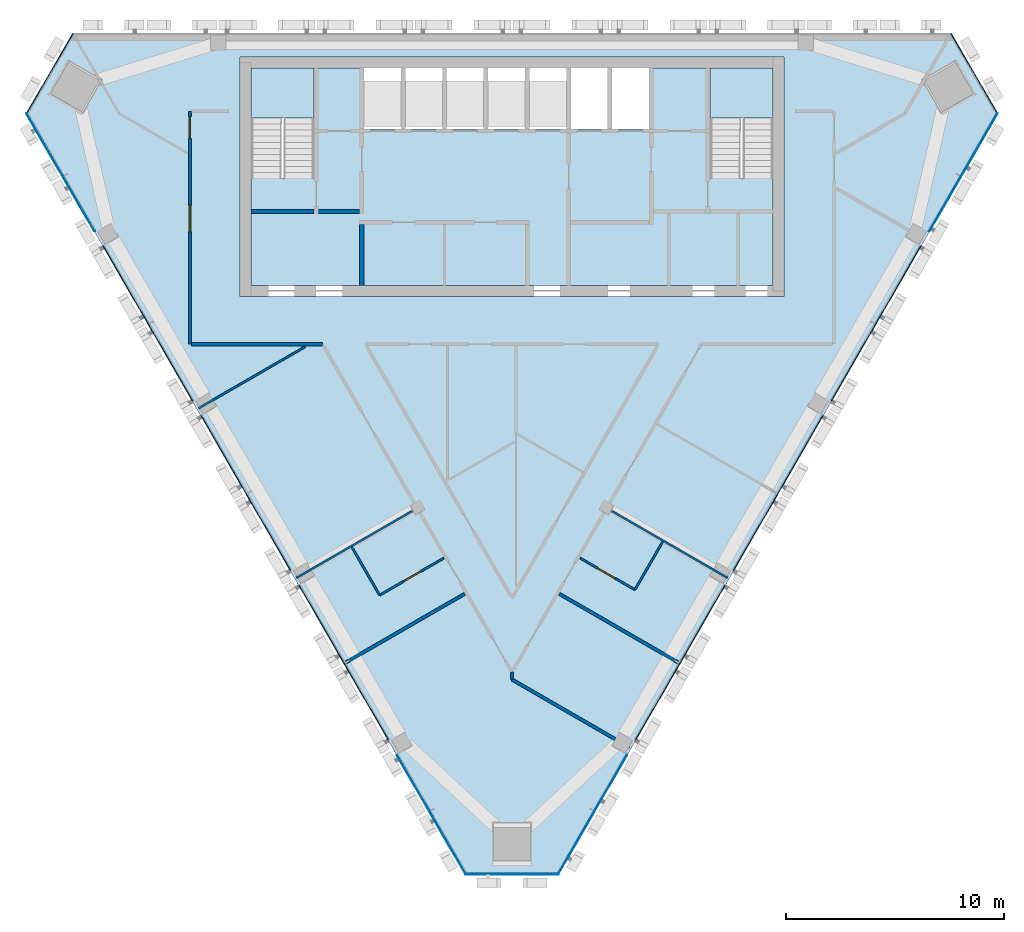
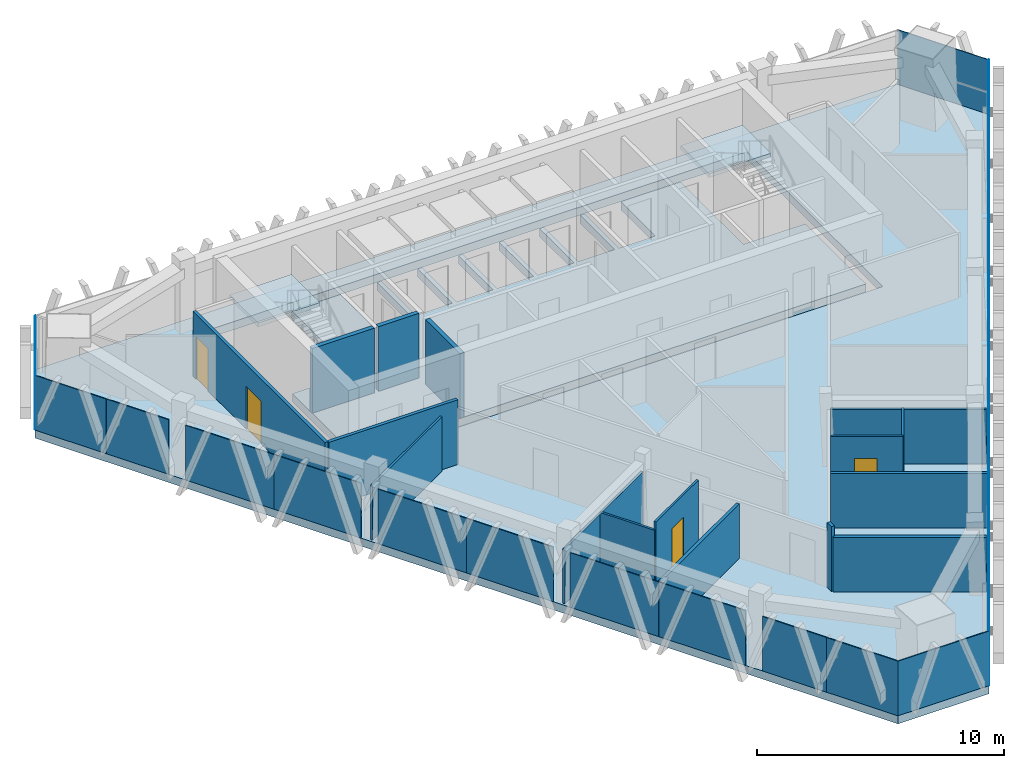
# One storey, part 7 of 14: 23 plates, 16 walls, 4 doors, 4 slabs, 4 openings, 7 elements without a shape of their own.
"""IFC4 building model written with IfcOpenShell, lengths in metres."""

from ifc_helpers import new_model, si_unit, direction, frame, frame_2d, origin, origin_2d, place, context, subcontext, project, spatial, polyline, rectangle, outline, extrude, material, layer, layer_set, type_object, element, fill, aggregate, save


model = new_model("IFC4")

# Units and contexts
model_context = context("Model", 3, precision=1e-05, world=origin(), true_north=direction((0.0, 1.0)))
body_context = subcontext(model_context, "Body", "Model", "MODEL_VIEW")
ifc_project = project(units=[si_unit("LENGTHUNIT", "METRE"), si_unit("AREAUNIT", "SQUARE_METRE"), si_unit("VOLUMEUNIT", "CUBIC_METRE"), si_unit("PLANEANGLEUNIT", "RADIAN"), si_unit("MASSUNIT", "GRAM", prefix="KILO")], contexts=[model_context])

# Site, building, storey
site_placement = place(None, origin())
site = spatial("IfcSite", under=ifc_project, at=site_placement, CompositionType="ELEMENT")
building_placement = place(site_placement, origin())
building = spatial("IfcBuilding", under=site, at=building_placement, Name="Altiplano Prism Tower", CompositionType="ELEMENT")
storey_placement = place(building_placement, frame((0.0, 0.0, 295.0)))
storey = spatial("IfcBuildingStorey", under=building, at=storey_placement, Name="L76", CompositionType="ELEMENT", Elevation=295.0)

# Curtain wall, plate
ifc_material_1 = material(Name="Aluminium and glass", Category="aluminium")
ifc_layer_1 = layer(ifc_material_1, 0.280029296875)
ifc_layer_set_1 = layer_set([ifc_layer_1], Name="Aluminium and glass")
curtain_wall_type = type_object("IfcCurtainWallType", Name="CW1 typical co-living unitised curtain wall", PredefinedType="NOTDEFINED", material=ifc_layer_set_1)
curtain_wall_1_placement = place(storey_placement, origin())
curtain_wall_1 = element("IfcCurtainWall", 1, at=curtain_wall_1_placement, inside=storey, type_object=curtain_wall_type, Name="CW1 curtain wall north-west chamfer L76", PredefinedType="NOTDEFINED")
ifc_material_2 = material(Name="Clear glass", Category="glass")
ifc_layer_2 = layer(ifc_material_2, 0.0400390625)
ifc_layer_set_2 = layer_set([ifc_layer_2], Name="Clear glass")
plate_type = type_object("IfcPlateType", Name="CW1 insulated glass unit 40", PredefinedType="CURTAIN_PANEL", material=ifc_layer_set_2)
plate_1_placement = place(storey_placement, frame((63.75634765625, 103.14111328125, 0.0), z_axis=(0.0, 0.0, 1.0), x_axis=(-0.500000067972, -0.866025364541, 0.0)))
plate_1 = element("IfcPlate", 2, at=plate_1_placement, type_object=plate_type, Name="CW1 panel", PredefinedType="CURTAIN_PANEL", context=body_context, shape_type="SweptSolid", body=[
    extrude(rectangle(XDim=4.260009765625, YDim=0.0400390625, at=origin_2d()), origin(), (0.0, 0.0, 1.0), 2.699951171875),
])
aggregate(curtain_wall_1, [plate_1])

# Curtain wall, plates
curtain_wall_2_placement = place(storey_placement, origin())
curtain_wall_2 = element("IfcCurtainWall", 3, at=curtain_wall_2_placement, inside=storey, type_object=curtain_wall_type, Name="CW1 curtain wall south-west face L76", PredefinedType="NOTDEFINED")
plate_2_placement = place(storey_placement, frame((63.525390625, 99.86279296875, 0.0), z_axis=(0.0, 0.0, 1.0), x_axis=(0.499999990629, -0.866025409195, 0.0)))
plate_2 = element("IfcPlate", 4, at=plate_2_placement, type_object=plate_type, Name="CW1 panel", PredefinedType="CURTAIN_PANEL", context=body_context, shape_type="SweptSolid", body=[
    extrude(rectangle(XDim=3.336669921875, YDim=0.0400390625, at=origin_2d()), origin(), (0.0, 0.0, 1.0), 2.699951171875),
])
plate_3_placement = place(storey_placement, frame((65.091552734375, 97.150634765625, 0.0), z_axis=(0.0, 0.0, 1.0), x_axis=(0.499999990629, -0.866025409195, 0.0)))
plate_3 = element("IfcPlate", 5, at=plate_3_placement, type_object=plate_type, Name="CW1 panel", PredefinedType="CURTAIN_PANEL", context=body_context, shape_type="SweptSolid", body=[
    extrude(rectangle(XDim=2.9072265625, YDim=0.0400390625, at=origin_2d()), origin(), (0.0, 0.0, 1.0), 2.699951171875),
])
plate_4_placement = place(storey_placement, frame((67.248291015625, 93.4150390625, 0.0), z_axis=(0.0, 0.0, 1.0), x_axis=(0.499999990629, -0.866025409195, 0.0)))
plate_4 = element("IfcPlate", 6, at=plate_4_placement, type_object=plate_type, Name="CW1 panel", PredefinedType="CURTAIN_PANEL", context=body_context, shape_type="SweptSolid", body=[
    extrude(rectangle(XDim=4.139404296875, YDim=0.0400390625, at=origin_2d()), origin(), (0.0, 0.0, 1.0), 2.699951171875),
])
plate_5_placement = place(storey_placement, frame((69.30322265625, 89.855712890625, 0.0), z_axis=(0.0, 0.0, 1.0), x_axis=(0.499999990629, -0.866025409195, 0.0)))
plate_5 = element("IfcPlate", 7, at=plate_5_placement, type_object=plate_type, Name="CW1 panel", PredefinedType="CURTAIN_PANEL", context=body_context, shape_type="SweptSolid", body=[
    extrude(rectangle(XDim=4.060302734375, YDim=0.0400390625, at=origin_2d()), origin(), (0.0, 0.0, 1.0), 2.699951171875),
])
plate_6_placement = place(storey_placement, frame((71.748291015625, 85.620849609375, 0.0), z_axis=(0.0, 0.0, 1.0), x_axis=(0.499999990629, -0.866025409195, 0.0)))
plate_6 = element("IfcPlate", 8, at=plate_6_placement, type_object=plate_type, Name="CW1 panel", PredefinedType="CURTAIN_PANEL", context=body_context, shape_type="SweptSolid", body=[
    extrude(rectangle(XDim=4.139404296875, YDim=0.0400390625, at=origin_2d()), origin(), (0.0, 0.0, 1.0), 2.699951171875),
])
plate_7_placement = place(storey_placement, frame((73.80322265625, 82.0615234375, 0.0), z_axis=(0.0, 0.0, 1.0), x_axis=(0.499999990629, -0.866025409195, 0.0)))
plate_7 = element("IfcPlate", 9, at=plate_7_placement, type_object=plate_type, Name="CW1 panel", PredefinedType="CURTAIN_PANEL", context=body_context, shape_type="SweptSolid", body=[
    extrude(rectangle(XDim=4.060302734375, YDim=0.0400390625, at=origin_2d()), origin(), (0.0, 0.0, 1.0), 2.699951171875),
])
plate_8_placement = place(storey_placement, frame((76.248291015625, 77.826416015625, 0.0), z_axis=(0.0, 0.0, 1.0), x_axis=(0.499999990629, -0.866025409195, 0.0)))
plate_8 = element("IfcPlate", 10, at=plate_8_placement, type_object=plate_type, Name="CW1 panel", PredefinedType="CURTAIN_PANEL", context=body_context, shape_type="SweptSolid", body=[
    extrude(rectangle(XDim=4.139404296875, YDim=0.0400390625, at=origin_2d()), origin(), (0.0, 0.0, 1.0), 2.699951171875),
])
plate_9_placement = place(storey_placement, frame((78.30322265625, 74.267333984375, 0.0), z_axis=(0.0, 0.0, 1.0), x_axis=(0.499999990629, -0.866025409195, 0.0)))
plate_9 = element("IfcPlate", 11, at=plate_9_placement, type_object=plate_type, Name="CW1 panel", PredefinedType="CURTAIN_PANEL", context=body_context, shape_type="SweptSolid", body=[
    extrude(rectangle(XDim=4.060302734375, YDim=0.0400390625, at=origin_2d()), origin(), (0.0, 0.0, 1.0), 2.699951171875),
])
plate_10_placement = place(storey_placement, frame((80.4599609375, 70.53173828125, 0.0), z_axis=(0.0, 0.0, 1.0), x_axis=(0.499999990629, -0.866025409195, 0.0)))
plate_10 = element("IfcPlate", 12, at=plate_10_placement, type_object=plate_type, Name="CW1 panel", PredefinedType="CURTAIN_PANEL", context=body_context, shape_type="SweptSolid", body=[
    extrude(rectangle(XDim=2.986328125, YDim=0.0400390625, at=origin_2d()), origin(), (0.0, 0.0, 1.0), 2.699951171875),
])
plate_11_placement = place(storey_placement, frame((82.045654296875, 67.78515625, 0.0), z_axis=(0.0, 0.0, 1.0), x_axis=(0.499999990629, -0.866025409195, 0.0)))
plate_11 = element("IfcPlate", 13, at=plate_11_placement, type_object=plate_type, Name="CW1 panel", PredefinedType="CURTAIN_PANEL", context=body_context, shape_type="SweptSolid", body=[
    extrude(rectangle(XDim=3.336669921875, YDim=0.0400390625, at=origin_2d()), origin(), (0.0, 0.0, 1.0), 2.699951171875),
])
aggregate(curtain_wall_2, [plate_2, plate_3, plate_4, plate_5, plate_6, plate_7, plate_8, plate_9, plate_10, plate_11])

# Curtain wall, plate
curtain_wall_3_placement = place(storey_placement, origin())
curtain_wall_3 = element("IfcCurtainWall", 14, at=curtain_wall_3_placement, inside=storey, type_object=curtain_wall_type, Name="CW1 curtain wall south chamfer L76", PredefinedType="NOTDEFINED")
plate_12_placement = place(storey_placement, frame((85.0, 66.345947265625, 0.0), z_axis=(0.0, 0.0, 1.0), x_axis=(1.0, 0.0, 0.0)))
plate_12 = element("IfcPlate", 15, at=plate_12_placement, type_object=plate_type, Name="CW1 panel", PredefinedType="CURTAIN_PANEL", context=body_context, shape_type="SweptSolid", body=[
    extrude(rectangle(XDim=4.260009765625, YDim=0.0400390625, at=origin_2d()), origin(), (0.0, 0.0, 1.0), 2.699951171875),
])
aggregate(curtain_wall_3, [plate_12])

# Curtain wall, plates
curtain_wall_4_placement = place(storey_placement, origin())
curtain_wall_4 = element("IfcCurtainWall", 16, at=curtain_wall_4_placement, inside=storey, type_object=curtain_wall_type, Name="CW1 curtain wall south-east face L76", PredefinedType="NOTDEFINED")
plate_13_placement = place(storey_placement, frame((87.954345703125, 67.78515625, 0.0), z_axis=(0.0, 0.0, 1.0), x_axis=(0.499999990629, 0.866025409195, 0.0)))
plate_13 = element("IfcPlate", 17, at=plate_13_placement, type_object=plate_type, Name="CW1 panel", PredefinedType="CURTAIN_PANEL", context=body_context, shape_type="SweptSolid", body=[
    extrude(rectangle(XDim=3.336669921875, YDim=0.0400390625, at=origin_2d()), origin(), (0.0, 0.0, 1.0), 2.699951171875),
])
plate_14_placement = place(storey_placement, frame((89.5400390625, 70.53173828125, 0.0), z_axis=(0.0, 0.0, 1.0), x_axis=(0.499999990629, 0.866025409195, 0.0)))
plate_14 = element("IfcPlate", 18, at=plate_14_placement, type_object=plate_type, Name="CW1 panel", PredefinedType="CURTAIN_PANEL", context=body_context, shape_type="SweptSolid", body=[
    extrude(rectangle(XDim=2.986328125, YDim=0.0400390625, at=origin_2d()), origin(), (0.0, 0.0, 1.0), 2.699951171875),
])
plate_15_placement = place(storey_placement, frame((91.69677734375, 74.267333984375, 0.0), z_axis=(0.0, 0.0, 1.0), x_axis=(0.499999990629, 0.866025409195, 0.0)))
plate_15 = element("IfcPlate", 19, at=plate_15_placement, type_object=plate_type, Name="CW1 panel", PredefinedType="CURTAIN_PANEL", context=body_context, shape_type="SweptSolid", body=[
    extrude(rectangle(XDim=4.060302734375, YDim=0.0400390625, at=origin_2d()), origin(), (0.0, 0.0, 1.0), 2.699951171875),
])
plate_16_placement = place(storey_placement, frame((93.751708984375, 77.826416015625, 0.0), z_axis=(0.0, 0.0, 1.0), x_axis=(0.499999990629, 0.866025409195, 0.0)))
plate_16 = element("IfcPlate", 20, at=plate_16_placement, type_object=plate_type, Name="CW1 panel", PredefinedType="CURTAIN_PANEL", context=body_context, shape_type="SweptSolid", body=[
    extrude(rectangle(XDim=4.139404296875, YDim=0.0400390625, at=origin_2d()), origin(), (0.0, 0.0, 1.0), 2.699951171875),
])
plate_17_placement = place(storey_placement, frame((96.19677734375, 82.0615234375, 0.0), z_axis=(0.0, 0.0, 1.0), x_axis=(0.499999990629, 0.866025409195, 0.0)))
plate_17 = element("IfcPlate", 21, at=plate_17_placement, type_object=plate_type, Name="CW1 panel", PredefinedType="CURTAIN_PANEL", context=body_context, shape_type="SweptSolid", body=[
    extrude(rectangle(XDim=4.060302734375, YDim=0.0400390625, at=origin_2d()), origin(), (0.0, 0.0, 1.0), 2.699951171875),
])
plate_18_placement = place(storey_placement, frame((98.251708984375, 85.620849609375, 0.0), z_axis=(0.0, 0.0, 1.0), x_axis=(0.499999990629, 0.866025409195, 0.0)))
plate_18 = element("IfcPlate", 22, at=plate_18_placement, type_object=plate_type, Name="CW1 panel", PredefinedType="CURTAIN_PANEL", context=body_context, shape_type="SweptSolid", body=[
    extrude(rectangle(XDim=4.139404296875, YDim=0.0400390625, at=origin_2d()), origin(), (0.0, 0.0, 1.0), 2.699951171875),
])
plate_19_placement = place(storey_placement, frame((100.69677734375, 89.855712890625, 0.0), z_axis=(0.0, 0.0, 1.0), x_axis=(0.499999990629, 0.866025409195, 0.0)))
plate_19 = element("IfcPlate", 23, at=plate_19_placement, type_object=plate_type, Name="CW1 panel", PredefinedType="CURTAIN_PANEL", context=body_context, shape_type="SweptSolid", body=[
    extrude(rectangle(XDim=4.060302734375, YDim=0.0400390625, at=origin_2d()), origin(), (0.0, 0.0, 1.0), 2.699951171875),
])
plate_20_placement = place(storey_placement, frame((102.751708984375, 93.4150390625, 0.0), z_axis=(0.0, 0.0, 1.0), x_axis=(0.499999990629, 0.866025409195, 0.0)))
plate_20 = element("IfcPlate", 24, at=plate_20_placement, type_object=plate_type, Name="CW1 panel", PredefinedType="CURTAIN_PANEL", context=body_context, shape_type="SweptSolid", body=[
    extrude(rectangle(XDim=4.139404296875, YDim=0.0400390625, at=origin_2d()), origin(), (0.0, 0.0, 1.0), 2.699951171875),
])
plate_21_placement = place(storey_placement, frame((104.908447265625, 97.150634765625, 0.0), z_axis=(0.0, 0.0, 1.0), x_axis=(0.499999990629, 0.866025409195, 0.0)))
plate_21 = element("IfcPlate", 25, at=plate_21_placement, type_object=plate_type, Name="CW1 panel", PredefinedType="CURTAIN_PANEL", context=body_context, shape_type="SweptSolid", body=[
    extrude(rectangle(XDim=2.9072265625, YDim=0.0400390625, at=origin_2d()), origin(), (0.0, 0.0, 1.0), 2.699951171875),
])
plate_22_placement = place(storey_placement, frame((106.474609375, 99.86279296875, 0.0), z_axis=(0.0, 0.0, 1.0), x_axis=(0.499999990629, 0.866025409195, 0.0)))
plate_22 = element("IfcPlate", 26, at=plate_22_placement, type_object=plate_type, Name="CW1 panel", PredefinedType="CURTAIN_PANEL", context=body_context, shape_type="SweptSolid", body=[
    extrude(rectangle(XDim=3.336669921875, YDim=0.0400390625, at=origin_2d()), origin(), (0.0, 0.0, 1.0), 2.699951171875),
])
aggregate(curtain_wall_4, [plate_13, plate_14, plate_15, plate_16, plate_17, plate_18, plate_19, plate_20, plate_21, plate_22])

# Curtain wall, plate
curtain_wall_5_placement = place(storey_placement, origin())
curtain_wall_5 = element("IfcCurtainWall", 27, at=curtain_wall_5_placement, inside=storey, type_object=curtain_wall_type, Name="CW1 curtain wall north-east chamfer L76", PredefinedType="NOTDEFINED")
plate_23_placement = place(storey_placement, frame((106.24365234375, 103.14111328125, 0.0), z_axis=(0.0, 0.0, 1.0), x_axis=(-0.500000067972, 0.866025364541, 0.0)))
plate_23 = element("IfcPlate", 28, at=plate_23_placement, type_object=plate_type, Name="CW1 panel", PredefinedType="CURTAIN_PANEL", context=body_context, shape_type="SweptSolid", body=[
    extrude(rectangle(XDim=4.260009765625, YDim=0.0400390625, at=origin_2d()), origin(), (0.0, 0.0, 1.0), 2.699951171875),
])
aggregate(curtain_wall_5, [plate_23])

# Slabs
ifc_material_3 = material(Name="Concrete C40/50", Category="concrete")
ifc_layer_3 = layer(ifc_material_3, 0.39990234375)
ifc_layer_set_3 = layer_set([ifc_layer_3], Name="Concrete C40/50")
slab_type_1 = type_object("IfcSlabType", Name="Core floor slab 400", PredefinedType="FLOOR", material=ifc_layer_set_3)
slab_1_placement = place(storey_placement, frame((0.0, 0.0, -0.39990234375)))
element("IfcSlab", 29, at=slab_1_placement, inside=storey, type_object=slab_type_1, Name="Core floor slab L76", PredefinedType="FLOOR", context=body_context, shape_type="SweptSolid", body=[
    extrude(outline(polyline([(97.0, 98.31005859375), (94.10009765625, 98.31005859375), (94.10009765625, 103.39990234375), (91.300048828125, 103.39990234375), (91.300048828125, 100.60009765625), (89.60009765625, 100.60009765625), (89.60009765625, 103.39990234375), (89.39990234375, 103.39990234375), (89.39990234375, 100.60009765625), (87.699951171875, 100.60009765625), (87.699951171875, 103.39990234375), (87.5, 103.39990234375), (87.5, 100.60009765625), (85.800048828125, 100.60009765625), (85.800048828125, 103.39990234375), (85.60009765625, 103.39990234375), (85.60009765625, 100.60009765625), (83.89990234375, 100.60009765625), (83.89990234375, 103.39990234375), (83.699951171875, 103.39990234375), (83.699951171875, 100.60009765625), (82.0, 100.60009765625), (82.0, 103.39990234375), (81.800048828125, 103.39990234375), (81.800048828125, 100.60009765625), (80.10009765625, 100.60009765625), (80.10009765625, 103.39990234375), (79.89990234375, 103.39990234375), (79.89990234375, 100.60009765625), (78.199951171875, 100.60009765625), (78.199951171875, 103.39990234375), (75.89990234375, 103.39990234375), (75.89990234375, 98.31005859375), (73.0, 98.31005859375), (73.0, 93.39990234375), (97.0, 93.39990234375), (97.0, 98.31005859375)])), origin(), (0.0, 0.0, 1.0), 0.39990234375),
])
ifc_layer_4 = layer(ifc_material_3, 0.39990234375)
ifc_layer_set_4 = layer_set([ifc_layer_4], Name="Concrete C40/50")
slab_type_2 = type_object("IfcSlabType", Name="Post-tensioned flat slab 400", PredefinedType="FLOOR", material=ifc_layer_set_4)
slab_2_placement = place(storey_placement, frame((0.0, 0.0, -0.39990234375)))
element("IfcSlab", 30, at=slab_2_placement, inside=storey, type_object=slab_type_2, Name="Floor slab L76", PredefinedType="FLOOR", context=body_context, shape_type="SweptSolid", body=[
    extrude(outline(polyline([(107.32861328125, 101.302001953125), (87.135009765625, 66.325927734375), (82.864990234375, 66.325927734375), (62.67138671875, 101.302001953125), (64.806396484375, 105.0), (105.193603515625, 105.0), (107.32861328125, 101.302001953125)]), holes=[polyline([(97.5, 92.89990234375), (97.5, 103.89990234375), (72.5, 103.89990234375), (72.5, 92.89990234375), (97.5, 92.89990234375)])]), origin(), (0.0, 0.0, 1.0), 0.39990234375),
])

# Stair, slab
stair_type = type_object("IfcStairType", Name="Exit stair 1400", PredefinedType="HALF_TURN_STAIR", material=ifc_material_3)
stair_1_placement = place(storey_placement, origin())
stair_1 = element("IfcStair", 31, at=stair_1_placement, inside=storey, type_object=stair_type, Name="L76 Exit Stair 1", PredefinedType="HALF_TURN_STAIR")
ifc_layer_5 = layer(ifc_material_3, 0.199951171875)
ifc_layer_set_5 = layer_set([ifc_layer_5], Name="Concrete C40/50")
slab_type_3 = type_object("IfcSlabType", Name="Stair landing 200", PredefinedType="LANDING", material=ifc_layer_set_5)
slab_3_placement = place(storey_placement, frame((0.0, 0.0, 1.60009765625)))
slab_3 = element("IfcSlab", 32, at=slab_3_placement, type_object=slab_type_3, Name="ST1 landing 1", PredefinedType="LANDING", context=body_context, shape_type="SweptSolid", body=[
    extrude(outline(polyline([(75.89990234375, 101.096923828125), (75.89990234375, 103.39990234375), (73.0, 103.39990234375), (73.0, 101.096923828125), (75.89990234375, 101.096923828125)])), origin(), (0.0, 0.0, 1.0), 0.199951171875),
])
aggregate(stair_1, [slab_3])

stair_2_placement = place(storey_placement, origin())
stair_2 = element("IfcStair", 33, at=stair_2_placement, inside=storey, type_object=stair_type, Name="L76 Exit Stair 2", PredefinedType="HALF_TURN_STAIR")
slab_4_placement = place(storey_placement, frame((0.0, 0.0, 1.60009765625)))
slab_4 = element("IfcSlab", 34, at=slab_4_placement, type_object=slab_type_3, Name="ST2 landing 1", PredefinedType="LANDING", context=body_context, shape_type="SweptSolid", body=[
    extrude(outline(polyline([(97.0, 101.096923828125), (97.0, 103.39990234375), (94.10009765625, 103.39990234375), (94.10009765625, 101.096923828125), (97.0, 101.096923828125)])), origin(), (0.0, 0.0, 1.0), 0.199951171875),
])
aggregate(stair_2, [slab_4])

# Wall, opening, door
ifc_material_4 = material(Name="Plasterboard on steel stud", Category="steel")
ifc_layer_6 = layer(ifc_material_4, 0.10009765625)
ifc_layer_set_6 = layer_set([ifc_layer_6], Name="Plasterboard on steel stud")
wall_type_1 = type_object("IfcWallType", Name="Partition 100 unit", PredefinedType="PARTITIONING", material=ifc_layer_set_6)
wall_1_placement = place(storey_placement, frame((81.882568359375, 80.877685546875, 0.0), z_axis=(0.0, 0.0, 1.0), x_axis=(-0.866050272892, -0.499956922968, 0.0)))
wall_1 = element("IfcWall", 35, at=wall_1_placement, inside=storey, type_object=wall_type_1, Name="Partition P02 L76 021", PredefinedType="PARTITIONING", context=body_context, shape_type="SweptSolid", body=[
    extrude(rectangle(XDim=3.425048828125, YDim=0.10009765625, at=frame_2d((1.71240234375, 0.0))), origin(), (0.0, 0.0, 1.0), 3.199951171875),
])
opening_1_placement = place(wall_1_placement, frame((1.22509765625, 0.0, 0.0)))
opening_1 = element("IfcOpeningElement", 36, at=opening_1_placement, cuts=wall_1, Name="Opening D2331", PredefinedType="OPENING", context=body_context, shape_type="SweptSolid", body=[
    extrude(rectangle(XDim=0.89990234375, YDim=2.10009765625, at=frame_2d((0.449951171875, 1.050048828125))), frame((0.0, 0.060546875, 0.0), z_axis=(0.0, -1.0, 0.0), x_axis=(1.0, 0.0, 0.0)), (0.0, 0.0, 1.0), 0.12109375),
])
ifc_material_5 = material(Name="Timber", Category="wood")
door_type_1 = type_object("IfcDoorType", Name="Accessible ensuite door 900 x 2100", OperationType="NOTDEFINED", PredefinedType="NOTDEFINED", material=ifc_material_5)
door_1_placement = place(opening_1_placement, origin())
door_1 = element("IfcDoor", 37, at=door_1_placement, inside=storey, type_object=door_type_1, Name="Door D2331", OperationType="SINGLE_SWING_RIGHT", OverallHeight=2.10009765625, OverallWidth=0.89990234375, PredefinedType="NOTDEFINED", context=body_context, shape_type="SweptSolid", body=[
    extrude(rectangle(XDim=0.89990234375, YDim=2.10009765625, at=frame_2d((0.449951171875, 1.050048828125))), frame((0.0, 0.02490234375, 0.0), z_axis=(0.0, -1.0, 0.0), x_axis=(1.0, 0.0, 0.0)), (0.0, 0.0, 1.0), 0.050048828125),
])
fill(opening_1, door_1)

# Walls
wall_2_placement = place(storey_placement, frame((78.916259765625, 79.165283203125, 0.0), z_axis=(0.0, 0.0, 1.0), x_axis=(-0.499990435942, 0.866030925526, 0.0)))
element("IfcWall", 38, at=wall_2_placement, inside=storey, type_object=wall_type_1, Name="Partition P02 L76 022", PredefinedType="PARTITIONING", context=body_context, shape_type="SweptSolid", body=[
    extrude(rectangle(XDim=2.5498046875, YDim=0.10009765625, at=frame_2d((1.27490234375, 0.0))), origin(), (0.0, 0.0, 1.0), 2.800048828125),
])
wall_3_placement = place(storey_placement, frame((91.92578125, 81.62353515625, 0.0), z_axis=(0.0, 0.0, 1.0), x_axis=(-0.500062241894, -0.865989465428, 0.0)))
element("IfcWall", 39, at=wall_3_placement, inside=storey, type_object=wall_type_1, Name="Partition P02 L76 027", PredefinedType="PARTITIONING", context=body_context, shape_type="SweptSolid", body=[
    extrude(rectangle(XDim=2.550048828125, YDim=0.10009765625, at=frame_2d((1.27490234375, 0.0))), origin(), (0.0, 0.0, 1.0), 2.800048828125),
])

# Wall, opening, door
wall_4_placement = place(storey_placement, frame((90.650634765625, 79.415283203125, 0.0), z_axis=(0.0, 0.0, 1.0), x_axis=(-0.866046596414, 0.499963291492, 0.0)))
wall_4 = element("IfcWall", 40, at=wall_4_placement, inside=storey, type_object=wall_type_1, Name="Partition P02 L76 028", PredefinedType="PARTITIONING", context=body_context, shape_type="SweptSolid", body=[
    extrude(rectangle(XDim=2.925048828125, YDim=0.10009765625, at=frame_2d((1.46240234375, 0.0))), origin(), (0.0, 0.0, 1.0), 3.199951171875),
])
opening_2_placement = place(wall_4_placement, frame((1.050048828125, 0.0, 0.0)))
opening_2 = element("IfcOpeningElement", 41, at=opening_2_placement, cuts=wall_4, Name="Opening D2335", PredefinedType="OPENING", context=body_context, shape_type="SweptSolid", body=[
    extrude(rectangle(XDim=0.89990234375, YDim=2.10009765625, at=frame_2d((0.449951171875, 1.050048828125))), frame((0.0, 0.060546875, 0.0), z_axis=(0.0, -1.0, 0.0), x_axis=(1.0, 0.0, 0.0)), (0.0, 0.0, 1.0), 0.12109375),
])
door_type_2 = type_object("IfcDoorType", Name="Ensuite door 900 x 2100", OperationType="NOTDEFINED", PredefinedType="NOTDEFINED", material=ifc_material_5)
door_2_placement = place(opening_2_placement, origin())
door_2 = element("IfcDoor", 42, at=door_2_placement, inside=storey, type_object=door_type_2, Name="Door D2335", OperationType="SINGLE_SWING_RIGHT", OverallHeight=2.10009765625, OverallWidth=0.89990234375, PredefinedType="NOTDEFINED", context=body_context, shape_type="SweptSolid", body=[
    extrude(rectangle(XDim=0.89990234375, YDim=2.10009765625, at=frame_2d((0.449951171875, 1.050048828125))), frame((0.0, 0.02490234375, 0.0), z_axis=(0.0, -1.0, 0.0), x_axis=(1.0, 0.0, 0.0)), (0.0, 0.0, 1.0), 0.050048828125),
])
fill(opening_2, door_2)

# Walls
ifc_layer_7 = layer(ifc_material_4, 0.10009765625)
ifc_layer_set_7 = layer_set([ifc_layer_7], Name="Plasterboard on steel stud")
wall_type_2 = type_object("IfcWallType", Name="Partition 100 wet", PredefinedType="PARTITIONING", material=ifc_layer_set_7)
wall_5_placement = place(storey_placement, frame((70.604736328125, 87.760986328125, 0.0), z_axis=(0.0, 0.0, 1.0), x_axis=(0.866013339775, 0.500020894896, 0.0)))
element("IfcWall", 43, at=wall_5_placement, inside=storey, type_object=wall_type_2, Name="Partition P03 L76 017", PredefinedType="PARTITIONING", context=body_context, shape_type="SweptSolid", body=[
    extrude(rectangle(XDim=5.641357421875, YDim=0.10009765625, at=frame_2d((2.82080078125, 0.0))), origin(), (0.0, 0.0, 1.0), 2.699951171875),
])
for number, where, z_axis, x_axis, name in (
    (44, (75.104736328125, 79.966796875, 0.0), (0.0, 0.0, 1.0), (0.866025537322, 0.499999768706, 0.0), "Partition P03 L76 020"),
    (45, (94.895263671875, 79.966796875, 0.0), (0.0, 0.0, 1.0), (-0.866025537322, 0.499999768706, 0.0), "Partition P03 L76 029"),
):
    element("IfcWall", number, at=place(storey_placement, frame(where, z_axis=z_axis, x_axis=x_axis)), inside=storey, type_object=wall_type_2, Name=name, PredefinedType="PARTITIONING", context=body_context, shape_type="SweptSolid", body=[
        extrude(rectangle(XDim=6.3251953125, YDim=0.10009765625, at=frame_2d((3.16259765625, 0.0))), origin(), (0.0, 0.0, 1.0), 2.699951171875),
    ])

# Wall, openings, doors
ifc_layer_8 = layer(ifc_material_4, 0.14990234375)
ifc_layer_set_8 = layer_set([ifc_layer_8], Name="Plasterboard on steel stud")
wall_type_3 = type_object("IfcWallType", Name="Partition 150 corridor", PredefinedType="PARTITIONING", material=ifc_layer_set_8)
wall_6_placement = place(storey_placement, frame((70.19921875, 101.400634765625, 0.0), z_axis=(0.0, 0.0, 1.0), x_axis=(6.844627e-05, -0.999999997658, 0.0)))
wall_6 = element("IfcWall", 46, at=wall_6_placement, inside=storey, type_object=wall_type_3, Name="Partition P06 L76 003", PredefinedType="PARTITIONING", context=body_context, shape_type="SweptSolid", body=[
    extrude(rectangle(XDim=10.70068359375, YDim=0.14990234375, at=frame_2d((5.350341796875, 0.0))), origin(), (0.0, 0.0, 1.0), 3.199951171875),
])
opening_3_placement = place(wall_6_placement, frame((4.324951171875, 0.0, 0.0)))
opening_3 = element("IfcOpeningElement", 47, at=opening_3_placement, cuts=wall_6, Name="Opening D2328", PredefinedType="OPENING", context=body_context, shape_type="SweptSolid", body=[
    extrude(rectangle(XDim=1.199951171875, YDim=2.10009765625, at=frame_2d((0.60009765625, 1.050048828125))), frame((0.0, 0.08544921875, 0.0), z_axis=(0.0, -1.0, 0.0), x_axis=(1.0, 0.0, 0.0)), (0.0, 0.0, 1.0), 0.1708984375),
])
opening_4_placement = place(wall_6_placement, frame((0.239013671875, 0.0, 0.0)))
opening_4 = element("IfcOpeningElement", 48, at=opening_4_placement, cuts=wall_6, Name="Opening D2341", PredefinedType="OPENING", context=body_context, shape_type="SweptSolid", body=[
    extrude(rectangle(XDim=1.0, YDim=2.10009765625, at=frame_2d((0.5, 1.050048828125))), frame((0.0, 0.08544921875, 0.0), z_axis=(0.0, -1.0, 0.0), x_axis=(1.0, 0.0, 0.0)), (0.0, 0.0, 1.0), 0.1708984375),
])
door_type_3 = type_object("IfcDoorType", Name="Shared room door 1200 x 2100", OperationType="NOTDEFINED", PredefinedType="NOTDEFINED", material=ifc_material_5)
door_3_placement = place(opening_3_placement, origin())
door_3 = element("IfcDoor", 49, at=door_3_placement, inside=storey, type_object=door_type_3, Name="Door D2328", OperationType="SINGLE_SWING_LEFT", OverallHeight=2.10009765625, OverallWidth=1.199951171875, PredefinedType="NOTDEFINED", context=body_context, shape_type="SweptSolid", body=[
    extrude(rectangle(XDim=1.199951171875, YDim=2.10009765625, at=frame_2d((0.60009765625, 1.050048828125))), frame((0.0, 0.02490234375, 0.0), z_axis=(0.0, -1.0, 0.0), x_axis=(1.0, 0.0, 0.0)), (0.0, 0.0, 1.0), 0.050048828125),
])
fill(opening_3, door_3)
door_type_4 = type_object("IfcDoorType", Name="Store door 1000 x 2100", OperationType="NOTDEFINED", PredefinedType="NOTDEFINED", material=ifc_material_5)
door_4_placement = place(opening_4_placement, origin())
door_4 = element("IfcDoor", 50, at=door_4_placement, inside=storey, type_object=door_type_4, Name="Door D2341", OperationType="SINGLE_SWING_LEFT", OverallHeight=2.10009765625, OverallWidth=1.0, PredefinedType="NOTDEFINED", context=body_context, shape_type="SweptSolid", body=[
    extrude(rectangle(XDim=1.0, YDim=2.10009765625, at=frame_2d((0.5, 1.050048828125))), frame((0.0, 0.02490234375, 0.0), z_axis=(0.0, -1.0, 0.0), x_axis=(1.0, 0.0, 0.0)), (0.0, 0.0, 1.0), 0.050048828125),
])
fill(opening_4, door_4)

# Walls
wall_7_placement = place(storey_placement, frame((70.27490234375, 90.699951171875, 0.0), z_axis=(0.0, 0.0, 1.0), x_axis=(1.0, 0.0, 0.0)))
element("IfcWall", 51, at=wall_7_placement, inside=storey, type_object=wall_type_3, Name="Partition P06 L76 004", PredefinedType="PARTITIONING", context=body_context, shape_type="SweptSolid", body=[
    extrude(rectangle(XDim=6.023193359375, YDim=0.14990234375, at=frame_2d((3.01171875, 0.0))), origin(), (0.0, 0.0, 1.0), 3.199951171875),
])
ifc_layer_9 = layer(ifc_material_4, 0.14990234375)
ifc_layer_set_9 = layer_set([ifc_layer_9], Name="Plasterboard on steel stud")
wall_type_4 = type_object("IfcWallType", Name="Partition 150 party", PredefinedType="PARTITIONING", material=ifc_layer_set_9)
wall_8_placement = place(storey_placement, frame((77.33740234375, 76.0595703125, 0.0), z_axis=(0.0, 0.0, 1.0), x_axis=(0.866025401434, 0.500000004071, 0.0)))
element("IfcWall", 52, at=wall_8_placement, inside=storey, type_object=wall_type_4, Name="Partition P01 L76 023", PredefinedType="PARTITIONING", context=body_context, shape_type="SweptSolid", body=[
    extrude(rectangle(XDim=6.34521484375, YDim=0.14990234375, at=frame_2d((3.172607421875, 0.0))), origin(), (0.0, 0.0, 1.0), 2.699951171875),
])
wall_9_placement = place(storey_placement, frame((90.395263671875, 72.172607421875, 0.0), z_axis=(0.0, 0.0, 1.0), x_axis=(-0.866023089177, 0.500004008996, 0.0)))
element("IfcWall", 53, at=wall_9_placement, inside=storey, type_object=wall_type_4, Name="Partition P01 L76 024", PredefinedType="PARTITIONING", context=body_context, shape_type="SweptSolid", body=[
    extrude(rectangle(XDim=6.22998046875, YDim=0.14990234375, at=frame_2d((3.114990234375, 0.0))), origin(), (0.0, 0.0, 1.0), 2.699951171875),
])
wall_10_placement = place(storey_placement, frame((85.0, 75.28759765625, 0.0), z_axis=(0.0, 0.0, 1.0), x_axis=(0.0, 1.0, 0.0)))
element("IfcWall", 54, at=wall_10_placement, inside=storey, type_object=wall_type_4, Name="Partition P01 L76 025", PredefinedType="PARTITIONING", context=body_context, shape_type="SweptSolid", body=[
    extrude(rectangle(XDim=0.34033203125, YDim=0.14990234375, at=frame_2d((0.170166015625, 0.0))), origin(), (0.0, 0.0, 1.0), 3.199951171875),
])
wall_11_placement = place(storey_placement, frame((92.66259765625, 76.0595703125, 0.0), z_axis=(0.0, 0.0, 1.0), x_axis=(-0.866025401434, 0.500000004071, 0.0)))
element("IfcWall", 55, at=wall_11_placement, inside=storey, type_object=wall_type_4, Name="Partition P01 L76 026", PredefinedType="PARTITIONING", context=body_context, shape_type="SweptSolid", body=[
    extrude(rectangle(XDim=6.34521484375, YDim=0.14990234375, at=frame_2d((3.172607421875, 0.0))), origin(), (0.0, 0.0, 1.0), 2.699951171875),
])
ifc_material_6 = material(Name="Concrete C60/75", Category="concrete")
ifc_layer_10 = layer(ifc_material_6, 0.199951171875)
ifc_layer_set_10 = layer_set([ifc_layer_10], Name="Concrete C60/75")
wall_type_5 = type_object("IfcWallType", Name="Stair wall 200", PredefinedType="SOLIDWALL", material=ifc_layer_set_10)
wall_12_placement = place(storey_placement, frame((73.0, 96.800048828125, 0.0), z_axis=(0.0, 0.0, 1.0), x_axis=(1.0, 0.0, 0.0)))
element("IfcWall", 56, at=wall_12_placement, inside=storey, type_object=wall_type_5, Name="Stair wall L76", PredefinedType="SOLIDWALL", context=body_context, shape_type="SweptSolid", body=[
    extrude(rectangle(XDim=2.89990234375, YDim=0.199951171875, at=frame_2d((1.449951171875, 0.0))), origin(), (0.0, 0.0, 1.0), 3.199951171875),
])
ifc_layer_11 = layer(ifc_material_6, 0.199951171875)
ifc_layer_set_11 = layer_set([ifc_layer_11], Name="Concrete C60/75")
wall_type_6 = type_object("IfcWallType", Name="Vestibule wall 200", PredefinedType="PARTITIONING", material=ifc_layer_set_11)
wall_13_placement = place(storey_placement, frame((78.10009765625, 93.39990234375, 0.0), z_axis=(0.0, 0.0, 1.0), x_axis=(0.0, 1.0, 0.0)))
element("IfcWall", 57, at=wall_13_placement, inside=storey, type_object=wall_type_6, Name="Vestibule wall L76", PredefinedType="PARTITIONING", context=body_context, shape_type="SweptSolid", body=[
    extrude(rectangle(XDim=2.800048828125, YDim=0.199951171875, at=frame_2d((1.39990234375, 0.0))), origin(), (0.0, 0.0, 1.0), 3.199951171875),
])
wall_14_placement = place(storey_placement, frame((76.10009765625, 96.800048828125, 0.0), z_axis=(0.0, 0.0, 1.0), x_axis=(1.0, 0.0, 0.0)))
element("IfcWall", 58, at=wall_14_placement, inside=storey, type_object=wall_type_6, Name="Vestibule wall L76", PredefinedType="PARTITIONING", context=body_context, shape_type="SweptSolid", body=[
    extrude(rectangle(XDim=1.89990234375, YDim=0.199951171875, at=frame_2d((0.949951171875, 0.0))), origin(), (0.0, 0.0, 1.0), 3.199951171875),
])

save(model, "model.ifc")
